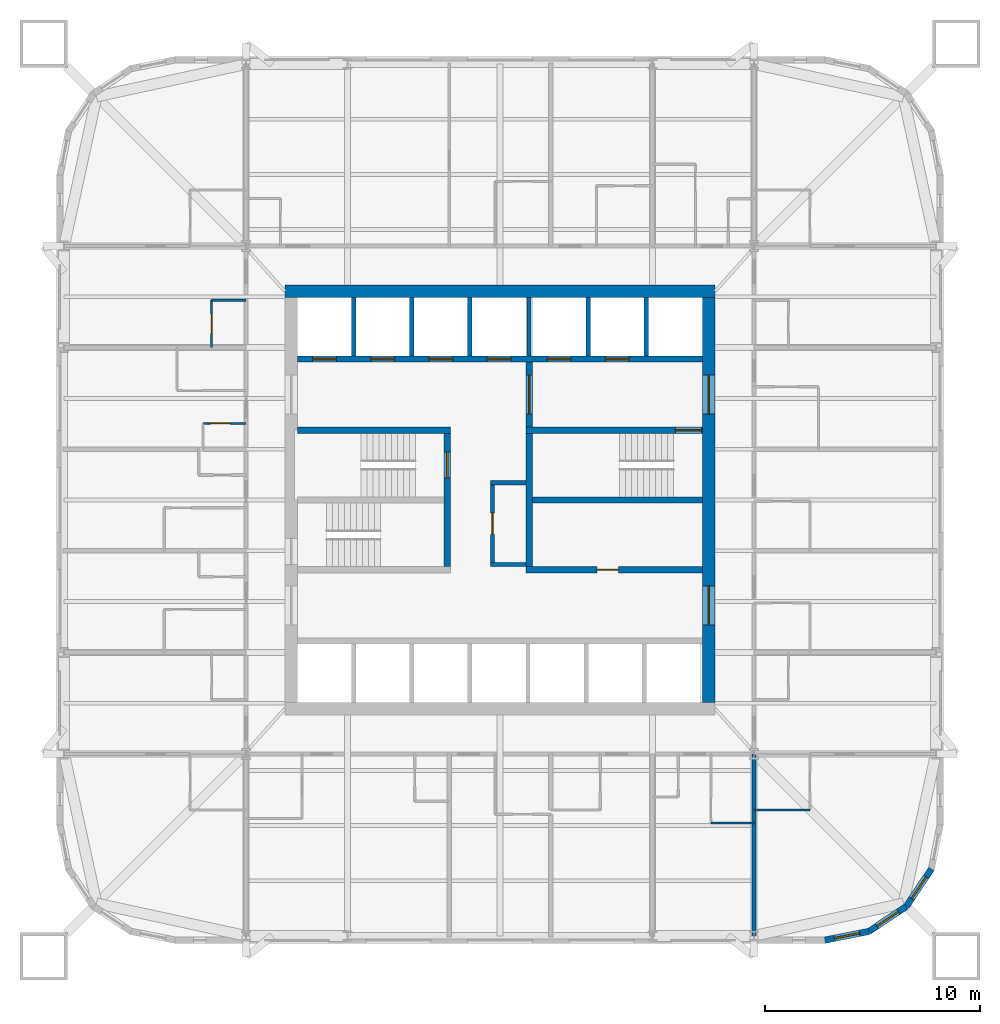
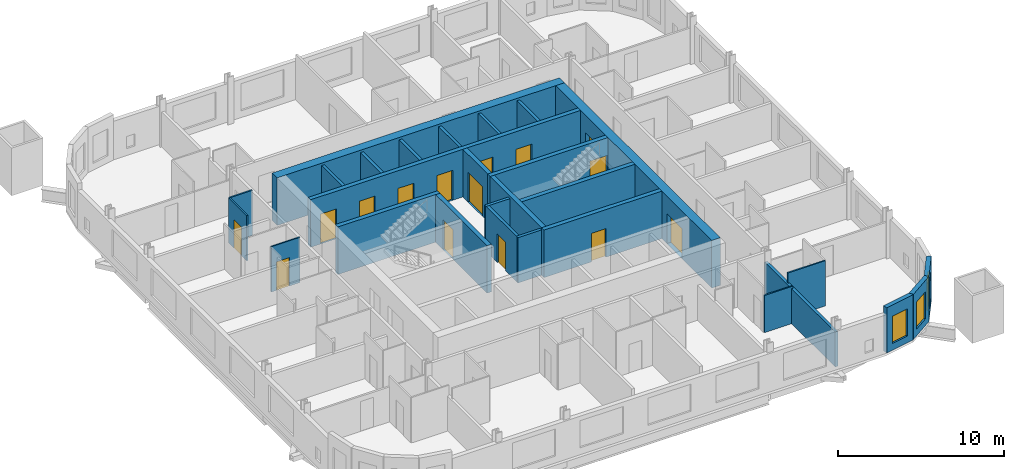
# One storey, part 5 of 9: 27 walls, 15 doors, 3 windows, 18 openings.
"""IFC4 building model written with IfcOpenShell, lengths in metres."""

import ifcopenshell
import ifcopenshell.guid

model = None  # the IFC model being written
_history = None  # IfcOwnerHistory: only IFC2X3 demands one
_inside = {}  # id of a spatial element -> (the spatial element, [elements in it])
_under = {}  # id of a project, library or spatial element -> (it, [spatial elements below it])
_declared = {}  # id of a project -> (the project, [libraries it declares])
_typed = {}  # id of a type object -> (the type object, [elements of that type])
_made_of = {}  # id of a material, layer set ... -> (it, [elements and type objects made of it])


def new_model(schema):
    """Start an empty IFC model of exactly this schema.

    Asked for "IFC4X3", IfcOpenShell would pick the latest addendum, in which some entities
    have other attributes; the version numbers below select the first issue.
    IFC2X3 requires an IfcOwnerHistory on every rooted entity: one is made here for all.
    """
    global model, _history
    if schema == "IFC4X3":
        model = ifcopenshell.file(schema_version=(4, 3, 0, 0))
    else:
        model = ifcopenshell.file(schema=schema)
    _inside.clear()
    _under.clear()
    _declared.clear()
    _typed.clear()
    _made_of.clear()
    _history = None
    if model.schema == "IFC2X3":
        org = make("IfcOrganization", Name="unknown")
        user = make(
            "IfcPersonAndOrganization",
            ThePerson=make("IfcPerson", FamilyName="unknown"),
            TheOrganization=org,
        )
        app = make(
            "IfcApplication",
            ApplicationDeveloper=org,
            Version="unknown",
            ApplicationFullName="unknown",
            ApplicationIdentifier="unknown",
        )
        _history = make(
            "IfcOwnerHistory",
            OwningUser=user,
            OwningApplication=app,
            ChangeAction="ADDED",
            CreationDate=0,
        )
    return model


def make(cls, **values):
    """One entity of the class cls with the attributes given. An attribute that is None is left unset."""
    return model.create_entity(
        cls, **{name: value for name, value in values.items() if value is not None}
    )


def rooted(cls, **values):
    """An entity with a GlobalId (a new one), such as an element, a storey or a relation."""
    return make(cls, GlobalId=ifcopenshell.guid.new(), OwnerHistory=_history, **values)


def si_unit(unit_type, name, prefix=None):
    """IfcSIUnit, for example si_unit("LENGTHUNIT", "METRE", prefix="MILLI")."""
    return make("IfcSIUnit", UnitType=unit_type, Prefix=prefix, Name=name)


def assignment(units):
    """IfcUnitAssignment: the units of a project."""
    return None if units is None else make("IfcUnitAssignment", Units=units)


def point(xyz):
    """IfcCartesianPoint."""
    return None if xyz is None else make("IfcCartesianPoint", Coordinates=xyz)


def direction(xyz):
    """IfcDirection."""
    return None if xyz is None else make("IfcDirection", DirectionRatios=xyz)


def frame(location, z_axis=None, x_axis=None):
    """IfcAxis2Placement3D, a coordinate frame: its origin and axes. An axis left out is left unset."""
    return make(
        "IfcAxis2Placement3D",
        Location=point(location),
        Axis=direction(z_axis),
        RefDirection=direction(x_axis),
    )


def frame_2d(location, x_axis=None):
    """IfcAxis2Placement2D, a coordinate frame in the plane: its origin and x axis."""
    return make(
        "IfcAxis2Placement2D", Location=point(location), RefDirection=direction(x_axis)
    )


def origin():
    """The frame at (0, 0, 0) with its axes left unset."""
    return frame((0.0, 0.0, 0.0))


def place(relative_to, where):
    """IfcLocalPlacement: puts the frame where relative to a parent placement (None: the world)."""
    return make(
        "IfcLocalPlacement", PlacementRelTo=relative_to, RelativePlacement=where
    )


def context(
    kind, dimensions, precision=None, world=None, true_north=None, identifier=None
):
    """IfcGeometricRepresentationContext, for example the 3D "Model" context."""
    return make(
        "IfcGeometricRepresentationContext",
        ContextIdentifier=identifier,
        ContextType=kind,
        CoordinateSpaceDimension=dimensions,
        Precision=precision,
        WorldCoordinateSystem=world,
        TrueNorth=true_north,
    )


def subcontext(parent, identifier, kind, view, scale=None):
    """IfcGeometricRepresentationSubContext, for example "Body" below "Model"."""
    return make(
        "IfcGeometricRepresentationSubContext",
        ContextIdentifier=identifier,
        ContextType=kind,
        ParentContext=parent,
        TargetScale=scale,
        TargetView=view,
    )


def project(units=None, contexts=None):
    """IfcProject with its units and contexts."""
    return rooted(
        "IfcProject",
        Name="project",
        RepresentationContexts=contexts,
        UnitsInContext=assignment(units),
    )


def spatial(cls, under=None, at=None, **own):
    """A site, building, storey or space (cls), placed at a placement, below another one or the project."""
    s = rooted(cls, ObjectPlacement=at, **own)
    if under is not None:
        _under.setdefault(under.id(), (under, []))[1].append(s)
    return s


def profile(cls, at=None, kind="AREA", **sizes):
    """A parametric profile (cls). Its sizes go by their IFC names, for example OverallWidth=200.0."""
    return make(cls, ProfileType=kind, Position=at, **sizes)


def rectangle(**sizes):
    """IfcRectangleProfileDef."""
    return profile("IfcRectangleProfileDef", **sizes)


def extrude(swept, where, along, depth):
    """IfcExtrudedAreaSolid: the profile swept, set in the frame where, extruded along a direction by depth."""
    return make(
        "IfcExtrudedAreaSolid",
        SweptArea=swept,
        Position=where,
        ExtrudedDirection=direction(along),
        Depth=depth,
    )


def shape(context_of_items, identifier, shape_type, items):
    """IfcShapeRepresentation: the items that make up one representation, for example the "Body"."""
    return make(
        "IfcShapeRepresentation",
        ContextOfItems=context_of_items,
        RepresentationIdentifier=identifier,
        RepresentationType=shape_type,
        Items=items,
    )


def material(Name=None, Category=None):
    """IfcMaterial."""
    return make("IfcMaterial", Name=Name, Category=Category)


def layer(
    of_material, thickness, ventilated=None, Name=None, Category=None, Priority=None
):
    """IfcMaterialLayer: one layer of a wall or slab, of a material (None: an air gap)."""
    return make(
        "IfcMaterialLayer",
        Material=of_material,
        LayerThickness=thickness,
        IsVentilated=ventilated,
        Name=Name,
        Category=Category,
        Priority=Priority,
    )


def layer_set(layers, Name=None):
    """IfcMaterialLayerSet."""
    return make("IfcMaterialLayerSet", MaterialLayers=layers, LayerSetName=Name)


def made_of(thing, what):
    """Note that an element or type object is made of a material, layer set ...; save() writes the relation."""
    if what is not None:
        _made_of.setdefault(what.id(), (what, []))[1].append(thing)
    return thing


def type_object(cls, material=None, **own):
    """A type object (cls), such as IfcWallType, which elements share."""
    return made_of(rooted(cls, **own), material)


def element(
    cls,
    number,
    at=None,
    inside=None,
    cuts=None,
    type_object=None,
    material=None,
    context=None,
    identifier="Body",
    shape_type=None,
    held_by="IfcProductDefinitionShape",
    body=None,
    shapes=None,
    **own,
):
    """One element of the class cls, such as IfcWall. Its Tag is "e" and its number.

    at: its placement. inside: the storey or other place that contains it. cuts: it is an
    opening in that element (IfcRelVoidsElement). A single representation is given by context,
    identifier, shape_type and body (its items); several are given by shapes. held_by: the class
    of the entity that holds the representations. save() writes the other relations.
    """
    e = rooted(cls, Tag="e%d" % number, ObjectPlacement=at, **own)
    if body is not None:
        shapes = [shape(context, identifier, shape_type, body)]
    if shapes is not None:
        e.Representation = make(held_by, Representations=shapes)
    if inside is not None:
        _inside.setdefault(inside.id(), (inside, []))[1].append(e)
    if cuts is not None:
        rooted(
            "IfcRelVoidsElement", RelatingBuildingElement=cuts, RelatedOpeningElement=e
        )
    if type_object is not None:
        _typed.setdefault(type_object.id(), (type_object, []))[1].append(e)
    return made_of(e, material)


def fill(opening, filler):
    """IfcRelFillsElement: the door or window that sits in an opening."""
    return rooted(
        "IfcRelFillsElement",
        RelatingOpeningElement=opening,
        RelatedBuildingElement=filler,
    )


def aggregate(whole, parts):
    """IfcRelAggregates: a whole, such as a stair, and the parts it consists of."""
    return rooted("IfcRelAggregates", RelatingObject=whole, RelatedObjects=parts)


def save(model, path):
    """Write the relations noted so far, then the file.

    IfcRelAggregates (storeys below a building ...), IfcRelContainedInSpatialStructure (elements
    in a storey), IfcRelDefinesByType, IfcRelAssociatesMaterial and IfcRelDeclares: one each for
    every whole, place, type object, material and project.
    """
    for whole, parts in _under.values():
        aggregate(whole, parts)
    for where, things in _inside.values():
        rooted(
            "IfcRelContainedInSpatialStructure",
            RelatedElements=things,
            RelatingStructure=where,
        )
    for kind, things in _typed.values():
        rooted("IfcRelDefinesByType", RelatedObjects=things, RelatingType=kind)
    for what, things in _made_of.values():
        rooted("IfcRelAssociatesMaterial", RelatedObjects=things, RelatingMaterial=what)
    for by, libraries in _declared.values():
        rooted("IfcRelDeclares", RelatingContext=by, RelatedDefinitions=libraries)
    model.write(path)


model = new_model("IFC4")

# Units and contexts
model_context = context("Model", 3, precision=1e-05, world=origin(), true_north=direction((0.0, 1.0)))
body_context = subcontext(model_context, "Body", "Model", "MODEL_VIEW")
ifc_project = project(units=[si_unit("LENGTHUNIT", "METRE"), si_unit("AREAUNIT", "SQUARE_METRE"), si_unit("VOLUMEUNIT", "CUBIC_METRE"), si_unit("PLANEANGLEUNIT", "RADIAN"), si_unit("MASSUNIT", "GRAM", prefix="KILO")], contexts=[model_context])

# Site, building, storey
site_placement = place(None, origin())
site = spatial("IfcSite", under=ifc_project, at=site_placement, CompositionType="ELEMENT")
building_placement = place(site_placement, origin())
building = spatial("IfcBuilding", under=site, at=building_placement, Name="Turquesa Mirador Hotel Tower", CompositionType="ELEMENT")
storey_placement = place(building_placement, frame((0.0, 0.0, 142.39990234375)))
storey = spatial("IfcBuildingStorey", under=building, at=storey_placement, Name="L38", CompositionType="ELEMENT", Elevation=142.39990234375)

# Walls
ifc_material_1 = material(Name="Gypsum board on steel studs", Category="steel")
ifc_layer_1 = layer(ifc_material_1, 0.10009765625)
ifc_layer_set_1 = layer_set([ifc_layer_1], Name="BATHROOM WALL 100")
wall_type_1 = type_object("IfcWallType", Name="BATHROOM WALL 100", PredefinedType="PARTITIONING", material=ifc_layer_set_1)
wall_1_placement = place(storey_placement, frame((66.800048828125, 30.60009765625, 0.0), z_axis=(0.0, 0.0, 1.0), x_axis=(1.0, 0.0, 0.0)))
element("IfcWall", 1, at=wall_1_placement, inside=storey, type_object=wall_type_1, Name="Partition L38 012", PredefinedType="PARTITIONING", context=body_context, shape_type="SweptSolid", body=[
    extrude(rectangle(XDim=2.599853515625, YDim=0.10009765625, at=frame_2d((1.2998046875, 0.0))), origin(), (0.0, 0.0, 1.0), 3.330078125),
])
wall_2_placement = place(storey_placement, frame((64.800048828125, 30.0, 0.0), z_axis=(0.0, 0.0, 1.0), x_axis=(1.0, 0.0, 0.0)))
element("IfcWall", 2, at=wall_2_placement, inside=storey, type_object=wall_type_1, Name="Partition L38 015", PredefinedType="PARTITIONING", context=body_context, shape_type="SweptSolid", body=[
    extrude(rectangle(XDim=2.0, YDim=0.10009765625, at=frame_2d((1.0, 0.0))), origin(), (0.0, 0.0, 1.0), 2.730712890625),
])

# Wall, opening, door
wall_3_placement = place(storey_placement, frame((41.199951171875, 48.56005859375, 0.0), z_axis=(0.0, 0.0, 1.0), x_axis=(1.0, 0.0, 0.0)))
wall_3 = element("IfcWall", 3, at=wall_3_placement, inside=storey, type_object=wall_type_1, Name="Partition L38 041", PredefinedType="PARTITIONING", context=body_context, shape_type="SweptSolid", body=[
    extrude(rectangle(XDim=2.0, YDim=0.10009765625, at=frame_2d((1.0, 0.0))), origin(), (0.0, 0.0, 1.0), 3.330078125),
])
opening_1_placement = place(wall_3_placement, frame((0.35009765625, 0.0, 0.0)))
opening_1 = element("IfcOpeningElement", 4, at=opening_1_placement, cuts=wall_3, Name="Opening D06", PredefinedType="OPENING", context=body_context, shape_type="SweptSolid", body=[
    extrude(rectangle(XDim=0.89990234375, YDim=2.10009765625, at=frame_2d((0.449951171875, 1.050048828125))), frame((0.0, 0.06005859375, 0.0), z_axis=(0.0, -1.0, 0.0), x_axis=(1.0, 0.0, 0.0)), (0.0, 0.0, 1.0), 0.1201171875),
])
ifc_material_2 = material(Name="Laminate door", Category="wood")
door_type_1 = type_object("IfcDoorType", Name="DOOR 900X2100 WC", OperationType="SINGLE_SWING_LEFT", PredefinedType="DOOR", material=ifc_material_2)
door_1_placement = place(opening_1_placement, origin())
door_1 = element("IfcDoor", 5, at=door_1_placement, inside=storey, type_object=door_type_1, Name="Door 3813W", OperationType="SINGLE_SWING_LEFT", OverallHeight=2.10009765625, OverallWidth=0.89990234375, PredefinedType="DOOR", context=body_context, shape_type="SweptSolid", body=[
    extrude(rectangle(XDim=0.89990234375, YDim=2.10009765625, at=frame_2d((0.449951171875, 1.050048828125))), frame((0.0, 0.02490234375, 0.0), z_axis=(0.0, -1.0, 0.0), x_axis=(1.0, 0.0, 0.0)), (0.0, 0.0, 1.0), 0.050048828125),
])
fill(opening_1, door_1)

# Wall
wall_4_placement = place(storey_placement, frame((41.60009765625, 54.280029296875, 0.0), z_axis=(0.0, 0.0, 1.0), x_axis=(1.0, 0.0, 0.0)))
element("IfcWall", 6, at=wall_4_placement, inside=storey, type_object=wall_type_1, Name="Partition L38 046", PredefinedType="PARTITIONING", context=body_context, shape_type="SweptSolid", body=[
    extrude(rectangle(XDim=1.599853515625, YDim=0.10009765625, at=frame_2d((0.7998046875, 0.0))), origin(), (0.0, 0.0, 1.0), 3.330078125),
])

# Wall, opening, door
wall_5_placement = place(storey_placement, frame((41.60009765625, 52.080078125, 0.0), z_axis=(0.0, 0.0, 1.0), x_axis=(0.0, 1.0, 0.0)))
wall_5 = element("IfcWall", 7, at=wall_5_placement, inside=storey, type_object=wall_type_1, Name="Partition L38 055", PredefinedType="PARTITIONING", context=body_context, shape_type="SweptSolid", body=[
    extrude(rectangle(XDim=2.199951171875, YDim=0.10009765625, at=frame_2d((1.10009765625, 0.0))), origin(), (0.0, 0.0, 1.0), 3.330078125),
])
opening_2_placement = place(wall_5_placement, frame((0.64990234375, 0.0, 0.0)))
opening_2 = element("IfcOpeningElement", 8, at=opening_2_placement, cuts=wall_5, Name="Opening D06", PredefinedType="OPENING", context=body_context, shape_type="SweptSolid", body=[
    extrude(rectangle(XDim=0.89990234375, YDim=2.10009765625, at=frame_2d((0.449951171875, 1.050048828125))), frame((0.0, 0.06005859375, 0.0), z_axis=(0.0, -1.0, 0.0), x_axis=(1.0, 0.0, 0.0)), (0.0, 0.0, 1.0), 0.1201171875),
])
door_2_placement = place(opening_2_placement, origin())
door_2 = element("IfcDoor", 9, at=door_2_placement, inside=storey, type_object=door_type_1, Name="Door 3815W", OperationType="SINGLE_SWING_LEFT", OverallHeight=2.10009765625, OverallWidth=0.89990234375, PredefinedType="DOOR", context=body_context, shape_type="SweptSolid", body=[
    extrude(rectangle(XDim=0.89990234375, YDim=2.10009765625, at=frame_2d((0.449951171875, 1.050048828125))), frame((0.0, 0.02490234375, 0.0), z_axis=(0.0, -1.0, 0.0), x_axis=(1.0, 0.0, 0.0)), (0.0, 0.0, 1.0), 0.050048828125),
])
fill(opening_2, door_2)

# Wall, openings, doors
ifc_material_3 = material(Name="Concrete C50/60", Category="concrete")
ifc_layer_2 = layer(ifc_material_3, 0.300048828125)
ifc_layer_set_2 = layer_set([ifc_layer_2], Name="CORE INNER WALL 300")
wall_type_2 = type_object("IfcWallType", Name="CORE INNER WALL 300", PredefinedType="SHEAR", material=ifc_layer_set_2)
wall_6_placement = place(storey_placement, frame((45.60009765625, 51.550048828125, 0.0), z_axis=(0.0, 0.0, 1.0), x_axis=(1.0, 0.0, 0.0)))
wall_6 = element("IfcWall", 10, at=wall_6_placement, inside=storey, type_object=wall_type_2, Name="Core wall NL", PredefinedType="SHEAR", context=body_context, shape_type="SweptSolid", body=[
    extrude(rectangle(XDim=18.7998046875, YDim=0.300048828125, at=frame_2d((9.39990234375, 0.0))), origin(), (0.0, 0.0, 1.0), 3.5),
])
opening_3_placement = place(wall_6_placement, frame((0.699951171875, 0.0, 0.0)))
opening_3 = element("IfcOpeningElement", 11, at=opening_3_placement, cuts=wall_6, Name="Opening LD", PredefinedType="OPENING", context=body_context, shape_type="SweptSolid", body=[
    extrude(rectangle(XDim=1.10009765625, YDim=2.199951171875, at=frame_2d((0.550048828125, 1.10009765625))), frame((0.0, 0.159912109375, 0.0), z_axis=(0.0, -1.0, 0.0), x_axis=(1.0, 0.0, 0.0)), (0.0, 0.0, 1.0), 0.320068359375),
])
opening_4_placement = place(wall_6_placement, frame((3.39990234375, 0.0, 0.0)))
opening_4 = element("IfcOpeningElement", 12, at=opening_4_placement, cuts=wall_6, Name="Opening LD", PredefinedType="OPENING", context=body_context, shape_type="SweptSolid", body=[
    extrude(rectangle(XDim=1.10009765625, YDim=2.199951171875, at=frame_2d((0.550048828125, 1.10009765625))), frame((0.0, 0.159912109375, 0.0), z_axis=(0.0, -1.0, 0.0), x_axis=(1.0, 0.0, 0.0)), (0.0, 0.0, 1.0), 0.320068359375),
])
opening_5_placement = place(wall_6_placement, frame((6.10009765625, 0.0, 0.0)))
opening_5 = element("IfcOpeningElement", 13, at=opening_5_placement, cuts=wall_6, Name="Opening LD", PredefinedType="OPENING", context=body_context, shape_type="SweptSolid", body=[
    extrude(rectangle(XDim=1.10009765625, YDim=2.199951171875, at=frame_2d((0.550048828125, 1.10009765625))), frame((0.0, 0.159912109375, 0.0), z_axis=(0.0, -1.0, 0.0), x_axis=(1.0, 0.0, 0.0)), (0.0, 0.0, 1.0), 0.320068359375),
])
opening_6_placement = place(wall_6_placement, frame((8.800048828125, 0.0, 0.0)))
opening_6 = element("IfcOpeningElement", 14, at=opening_6_placement, cuts=wall_6, Name="Opening LD", PredefinedType="OPENING", context=body_context, shape_type="SweptSolid", body=[
    extrude(rectangle(XDim=1.10009765625, YDim=2.199951171875, at=frame_2d((0.550048828125, 1.10009765625))), frame((0.0, 0.159912109375, 0.0), z_axis=(0.0, -1.0, 0.0), x_axis=(1.0, 0.0, 0.0)), (0.0, 0.0, 1.0), 0.320068359375),
])
opening_7_placement = place(wall_6_placement, frame((11.60009765625, 0.0, 0.0)))
opening_7 = element("IfcOpeningElement", 15, at=opening_7_placement, cuts=wall_6, Name="Opening LD", PredefinedType="OPENING", context=body_context, shape_type="SweptSolid", body=[
    extrude(rectangle(XDim=1.10009765625, YDim=2.199951171875, at=frame_2d((0.550048828125, 1.10009765625))), frame((0.0, 0.159912109375, 0.0), z_axis=(0.0, -1.0, 0.0), x_axis=(1.0, 0.0, 0.0)), (0.0, 0.0, 1.0), 0.320068359375),
])
opening_8_placement = place(wall_6_placement, frame((14.300048828125, 0.0, 0.0)))
opening_8 = element("IfcOpeningElement", 16, at=opening_8_placement, cuts=wall_6, Name="Opening LD", PredefinedType="OPENING", context=body_context, shape_type="SweptSolid", body=[
    extrude(rectangle(XDim=1.10009765625, YDim=2.199951171875, at=frame_2d((0.550048828125, 1.10009765625))), frame((0.0, 0.159912109375, 0.0), z_axis=(0.0, -1.0, 0.0), x_axis=(1.0, 0.0, 0.0)), (0.0, 0.0, 1.0), 0.320068359375),
])
ifc_material_4 = material(Name="Stainless steel lift landing door", Category="steel")
door_type_2 = type_object("IfcDoorType", Name="LIFT LANDING DOOR 1100X2200", OperationType="SLIDING_TO_LEFT", PredefinedType="DOOR", material=ifc_material_4)
door_3_placement = place(opening_3_placement, origin())
door_3 = element("IfcDoor", 17, at=door_3_placement, inside=storey, type_object=door_type_2, Name="Lift A1 landing door", OperationType="SLIDING_TO_LEFT", OverallHeight=2.199951171875, OverallWidth=1.10009765625, PredefinedType="DOOR", context=body_context, shape_type="SweptSolid", body=[
    extrude(rectangle(XDim=1.10009765625, YDim=2.199951171875, at=frame_2d((0.550048828125, 1.10009765625))), frame((0.0, 0.02490234375, 0.0), z_axis=(0.0, -1.0, 0.0), x_axis=(1.0, 0.0, 0.0)), (0.0, 0.0, 1.0), 0.050048828125),
])
fill(opening_3, door_3)
door_4_placement = place(opening_4_placement, origin())
door_4 = element("IfcDoor", 18, at=door_4_placement, inside=storey, type_object=door_type_2, Name="Lift A2 landing door", OperationType="SLIDING_TO_LEFT", OverallHeight=2.199951171875, OverallWidth=1.10009765625, PredefinedType="DOOR", context=body_context, shape_type="SweptSolid", body=[
    extrude(rectangle(XDim=1.10009765625, YDim=2.199951171875, at=frame_2d((0.550048828125, 1.10009765625))), frame((0.0, 0.02490234375, 0.0), z_axis=(0.0, -1.0, 0.0), x_axis=(1.0, 0.0, 0.0)), (0.0, 0.0, 1.0), 0.050048828125),
])
fill(opening_4, door_4)
door_5_placement = place(opening_5_placement, origin())
door_5 = element("IfcDoor", 19, at=door_5_placement, inside=storey, type_object=door_type_2, Name="Lift A3 landing door", OperationType="SLIDING_TO_LEFT", OverallHeight=2.199951171875, OverallWidth=1.10009765625, PredefinedType="DOOR", context=body_context, shape_type="SweptSolid", body=[
    extrude(rectangle(XDim=1.10009765625, YDim=2.199951171875, at=frame_2d((0.550048828125, 1.10009765625))), frame((0.0, 0.02490234375, 0.0), z_axis=(0.0, -1.0, 0.0), x_axis=(1.0, 0.0, 0.0)), (0.0, 0.0, 1.0), 0.050048828125),
])
fill(opening_5, door_5)
door_6_placement = place(opening_6_placement, origin())
door_6 = element("IfcDoor", 20, at=door_6_placement, inside=storey, type_object=door_type_2, Name="Lift A4 landing door", OperationType="SLIDING_TO_LEFT", OverallHeight=2.199951171875, OverallWidth=1.10009765625, PredefinedType="DOOR", context=body_context, shape_type="SweptSolid", body=[
    extrude(rectangle(XDim=1.10009765625, YDim=2.199951171875, at=frame_2d((0.550048828125, 1.10009765625))), frame((0.0, 0.02490234375, 0.0), z_axis=(0.0, -1.0, 0.0), x_axis=(1.0, 0.0, 0.0)), (0.0, 0.0, 1.0), 0.050048828125),
])
fill(opening_6, door_6)
door_7_placement = place(opening_7_placement, origin())
door_7 = element("IfcDoor", 21, at=door_7_placement, inside=storey, type_object=door_type_2, Name="Lift S1 landing door", OperationType="SLIDING_TO_LEFT", OverallHeight=2.199951171875, OverallWidth=1.10009765625, PredefinedType="DOOR", context=body_context, shape_type="SweptSolid", body=[
    extrude(rectangle(XDim=1.10009765625, YDim=2.199951171875, at=frame_2d((0.550048828125, 1.10009765625))), frame((0.0, 0.02490234375, 0.0), z_axis=(0.0, -1.0, 0.0), x_axis=(1.0, 0.0, 0.0)), (0.0, 0.0, 1.0), 0.050048828125),
])
fill(opening_7, door_7)
door_8_placement = place(opening_8_placement, origin())
door_8 = element("IfcDoor", 22, at=door_8_placement, inside=storey, type_object=door_type_2, Name="Lift S2 landing door", OperationType="SLIDING_TO_LEFT", OverallHeight=2.199951171875, OverallWidth=1.10009765625, PredefinedType="DOOR", context=body_context, shape_type="SweptSolid", body=[
    extrude(rectangle(XDim=1.10009765625, YDim=2.199951171875, at=frame_2d((0.550048828125, 1.10009765625))), frame((0.0, 0.02490234375, 0.0), z_axis=(0.0, -1.0, 0.0), x_axis=(1.0, 0.0, 0.0)), (0.0, 0.0, 1.0), 0.050048828125),
])
fill(opening_8, door_8)

# Wall
wall_7_placement = place(storey_placement, frame((45.60009765625, 48.25, 0.0), z_axis=(0.0, 0.0, 1.0), x_axis=(1.0, 0.0, 0.0)))
element("IfcWall", 23, at=wall_7_placement, inside=storey, type_object=wall_type_2, Name="Core wall MN-W", PredefinedType="SHEAR", context=body_context, shape_type="SweptSolid", body=[
    extrude(rectangle(XDim=7.099853515625, YDim=0.300048828125, at=frame_2d((3.5498046875, 0.0))), origin(), (0.0, 0.0, 1.0), 3.5),
])

# Wall, opening, door
wall_8_placement = place(storey_placement, frame((56.199951171875, 48.25, 0.0), z_axis=(0.0, 0.0, 1.0), x_axis=(1.0, 0.0, 0.0)))
wall_8 = element("IfcWall", 24, at=wall_8_placement, inside=storey, type_object=wall_type_2, Name="Core wall MN-E", PredefinedType="SHEAR", context=body_context, shape_type="SweptSolid", body=[
    extrude(rectangle(XDim=8.199951171875, YDim=0.300048828125, at=frame_2d((4.10009765625, 0.0))), origin(), (0.0, 0.0, 1.0), 3.5),
])
opening_9_placement = place(wall_8_placement, frame((6.949951171875, 0.0, 0.0)))
opening_9 = element("IfcOpeningElement", 25, at=opening_9_placement, cuts=wall_8, Name="Opening D03", PredefinedType="OPENING", context=body_context, shape_type="SweptSolid", body=[
    extrude(rectangle(XDim=1.199951171875, YDim=2.199951171875, at=frame_2d((0.60009765625, 1.10009765625))), frame((0.0, 0.159912109375, 0.0), z_axis=(0.0, -1.0, 0.0), x_axis=(1.0, 0.0, 0.0)), (0.0, 0.0, 1.0), 0.320068359375),
])
ifc_material_5 = material(Name="Steel fire door", Category="steel")
door_type_3 = type_object("IfcDoorType", Name="DOOR 1200X2200 STAIR", OperationType="SINGLE_SWING_LEFT", PredefinedType="DOOR", material=ifc_material_5)
door_9_placement = place(opening_9_placement, origin())
door_9 = element("IfcDoor", 26, at=door_9_placement, inside=storey, type_object=door_type_3, Name="Stair ST3 door", OperationType="SINGLE_SWING_LEFT", OverallHeight=2.199951171875, OverallWidth=1.199951171875, PredefinedType="DOOR", context=body_context, shape_type="SweptSolid", body=[
    extrude(rectangle(XDim=1.199951171875, YDim=2.199951171875, at=frame_2d((0.60009765625, 1.10009765625))), frame((0.0, 0.02490234375, 0.0), z_axis=(0.0, -1.0, 0.0), x_axis=(1.0, 0.0, 0.0)), (0.0, 0.0, 1.0), 0.050048828125),
])
fill(opening_9, door_9)

wall_9_placement = place(storey_placement, frame((56.199951171875, 41.75, 0.0), z_axis=(0.0, 0.0, 1.0), x_axis=(1.0, 0.0, 0.0)))
wall_9 = element("IfcWall", 27, at=wall_9_placement, inside=storey, type_object=wall_type_2, Name="Core wall MS-E", PredefinedType="SHEAR", context=body_context, shape_type="SweptSolid", body=[
    extrude(rectangle(XDim=8.199951171875, YDim=0.300048828125, at=frame_2d((4.10009765625, 0.0))), origin(), (0.0, 0.0, 1.0), 3.5),
])
opening_10_placement = place(wall_9_placement, frame((3.300048828125, 0.0, 0.0)))
opening_10 = element("IfcOpeningElement", 28, at=opening_10_placement, cuts=wall_9, Name="Opening D05", PredefinedType="OPENING", context=body_context, shape_type="SweptSolid", body=[
    extrude(rectangle(XDim=1.0, YDim=2.10009765625, at=frame_2d((0.5, 1.050048828125))), frame((0.0, 0.159912109375, 0.0), z_axis=(0.0, -1.0, 0.0), x_axis=(1.0, 0.0, 0.0)), (0.0, 0.0, 1.0), 0.320068359375),
])
ifc_material_6 = material(Name="Steel fire door", Category="steel")
door_type_4 = type_object("IfcDoorType", Name="DOOR 1000X2100 SERVICE", OperationType="SINGLE_SWING_LEFT", PredefinedType="DOOR", material=ifc_material_6)
door_10_placement = place(opening_10_placement, origin())
door_10 = element("IfcDoor", 29, at=door_10_placement, inside=storey, type_object=door_type_4, Name="Housekeeping room door", OperationType="SINGLE_SWING_LEFT", OverallHeight=2.10009765625, OverallWidth=1.0, PredefinedType="DOOR", context=body_context, shape_type="SweptSolid", body=[
    extrude(rectangle(XDim=1.0, YDim=2.10009765625, at=frame_2d((0.5, 1.050048828125))), frame((0.0, 0.02490234375, 0.0), z_axis=(0.0, -1.0, 0.0), x_axis=(1.0, 0.0, 0.0)), (0.0, 0.0, 1.0), 0.050048828125),
])
fill(opening_10, door_10)

wall_10_placement = place(storey_placement, frame((52.550048828125, 41.89990234375, 0.0), z_axis=(0.0, 0.0, 1.0), x_axis=(0.0, 1.0, 0.0)))
wall_10 = element("IfcWall", 30, at=wall_10_placement, inside=storey, type_object=wall_type_2, Name="Core wall PW", PredefinedType="SHEAR", context=body_context, shape_type="SweptSolid", body=[
    extrude(rectangle(XDim=6.2001953125, YDim=0.300048828125, at=frame_2d((3.10009765625, 0.0))), origin(), (0.0, 0.0, 1.0), 3.5),
])
opening_11_placement = place(wall_10_placement, frame((4.125, 0.0, 0.0)))
opening_11 = element("IfcOpeningElement", 31, at=opening_11_placement, cuts=wall_10, Name="Opening D03", PredefinedType="OPENING", context=body_context, shape_type="SweptSolid", body=[
    extrude(rectangle(XDim=1.199951171875, YDim=2.199951171875, at=frame_2d((0.60009765625, 1.10009765625))), frame((0.0, 0.159912109375, 0.0), z_axis=(0.0, -1.0, 0.0), x_axis=(1.0, 0.0, 0.0)), (0.0, 0.0, 1.0), 0.320068359375),
])
door_11_placement = place(opening_11_placement, origin())
door_11 = element("IfcDoor", 32, at=door_11_placement, inside=storey, type_object=door_type_3, Name="Stair ST1 door", OperationType="SINGLE_SWING_LEFT", OverallHeight=2.199951171875, OverallWidth=1.199951171875, PredefinedType="DOOR", context=body_context, shape_type="SweptSolid", body=[
    extrude(rectangle(XDim=1.199951171875, YDim=2.199951171875, at=frame_2d((0.60009765625, 1.10009765625))), frame((0.0, 0.02490234375, 0.0), z_axis=(0.0, -1.0, 0.0), x_axis=(1.0, 0.0, 0.0)), (0.0, 0.0, 1.0), 0.050048828125),
])
fill(opening_11, door_11)

wall_11_placement = place(storey_placement, frame((56.35009765625, 41.89990234375, 0.0), z_axis=(0.0, 0.0, 1.0), x_axis=(0.0, 1.0, 0.0)))
wall_11 = element("IfcWall", 33, at=wall_11_placement, inside=storey, type_object=wall_type_2, Name="Core wall PE", PredefinedType="SHEAR", context=body_context, shape_type="SweptSolid", body=[
    extrude(rectangle(XDim=9.5, YDim=0.300048828125, at=frame_2d((4.75, 0.0))), origin(), (0.0, 0.0, 1.0), 3.5),
])
opening_12_placement = place(wall_11_placement, frame((7.10009765625, 0.0, 0.0)))
opening_12 = element("IfcOpeningElement", 34, at=opening_12_placement, cuts=wall_11, Name="Opening D04", PredefinedType="OPENING", context=body_context, shape_type="SweptSolid", body=[
    extrude(rectangle(XDim=1.800048828125, YDim=2.199951171875, at=frame_2d((0.89990234375, 1.10009765625))), frame((0.0, 0.159912109375, 0.0), z_axis=(0.0, -1.0, 0.0), x_axis=(1.0, 0.0, 0.0)), (0.0, 0.0, 1.0), 0.320068359375),
])
ifc_material_7 = material(Name="Steel fire door pair", Category="steel")
door_type_5 = type_object("IfcDoorType", Name="DOOR 1800X2200 PAIR", OperationType="DOUBLE_DOOR_SINGLE_SWING", PredefinedType="DOOR", material=ifc_material_7)
door_12_placement = place(opening_12_placement, origin())
door_12 = element("IfcDoor", 35, at=door_12_placement, inside=storey, type_object=door_type_5, Name="Firefighting lobby inner door", OperationType="DOUBLE_DOOR_SINGLE_SWING", OverallHeight=2.199951171875, OverallWidth=1.800048828125, PredefinedType="DOOR", context=body_context, shape_type="SweptSolid", body=[
    extrude(rectangle(XDim=1.800048828125, YDim=2.199951171875, at=frame_2d((0.89990234375, 1.10009765625))), frame((0.0, 0.02490234375, 0.0), z_axis=(0.0, -1.0, 0.0), x_axis=(1.0, 0.0, 0.0)), (0.0, 0.0, 1.0), 0.050048828125),
])
fill(opening_12, door_12)

# Walls
wall_12_placement = place(storey_placement, frame((56.5, 45.0, 0.0), z_axis=(0.0, 0.0, 1.0), x_axis=(1.0, 0.0, 0.0)))
element("IfcWall", 36, at=wall_12_placement, inside=storey, type_object=wall_type_2, Name="Core wall M0-E", PredefinedType="SHEAR", context=body_context, shape_type="SweptSolid", body=[
    extrude(rectangle(XDim=7.89990234375, YDim=0.300048828125, at=frame_2d((3.949951171875, 0.0))), origin(), (0.0, 0.0, 1.0), 3.5),
])
ifc_material_8 = material(Name="Concrete C50/60", Category="concrete")
ifc_layer_3 = layer(ifc_material_8, 0.60009765625)
ifc_layer_set_3 = layer_set([ifc_layer_3], Name="CORE WALL 600")
wall_type_3 = type_object("IfcWallType", Name="CORE WALL 600", PredefinedType="SHEAR", material=ifc_layer_set_3)
wall_13_placement = place(storey_placement, frame((45.0, 54.699951171875, 0.0), z_axis=(0.0, 0.0, 1.0), x_axis=(1.0, 0.0, 0.0)))
element("IfcWall", 37, at=wall_13_placement, inside=storey, type_object=wall_type_3, Name="Core wall N", PredefinedType="SHEAR", context=body_context, shape_type="SweptSolid", body=[
    extrude(rectangle(XDim=20.0, YDim=0.60009765625, at=frame_2d((10.0, 0.0))), origin(), (0.0, 0.0, 1.0), 3.5),
])

# Wall, openings, doors
wall_14_placement = place(storey_placement, frame((64.699951171875, 35.60009765625, 0.0), z_axis=(0.0, 0.0, 1.0), x_axis=(0.0, 1.0, 0.0)))
wall_14 = element("IfcWall", 38, at=wall_14_placement, inside=storey, type_object=wall_type_3, Name="Core wall E", PredefinedType="SHEAR", context=body_context, shape_type="SweptSolid", body=[
    extrude(rectangle(XDim=18.7998046875, YDim=0.60009765625, at=frame_2d((9.39990234375, 0.0))), origin(), (0.0, 0.0, 1.0), 3.5),
])
opening_13_placement = place(wall_14_placement, frame((13.39990234375, 0.0, 0.0)))
opening_13 = element("IfcOpeningElement", 39, at=opening_13_placement, cuts=wall_14, Name="Opening D04", PredefinedType="OPENING", context=body_context, shape_type="SweptSolid", body=[
    extrude(rectangle(XDim=1.800048828125, YDim=2.199951171875, at=frame_2d((0.89990234375, 1.10009765625))), frame((0.0, 0.31005859375, 0.0), z_axis=(0.0, -1.0, 0.0), x_axis=(1.0, 0.0, 0.0)), (0.0, 0.0, 1.0), 0.6201171875),
])
opening_14_placement = place(wall_14_placement, frame((3.60009765625, 0.0, 0.0)))
opening_14 = element("IfcOpeningElement", 40, at=opening_14_placement, cuts=wall_14, Name="Opening D04", PredefinedType="OPENING", context=body_context, shape_type="SweptSolid", body=[
    extrude(rectangle(XDim=1.800048828125, YDim=2.199951171875, at=frame_2d((0.89990234375, 1.10009765625))), frame((0.0, 0.31005859375, 0.0), z_axis=(0.0, -1.0, 0.0), x_axis=(1.0, 0.0, 0.0)), (0.0, 0.0, 1.0), 0.6201171875),
])
door_13_placement = place(opening_13_placement, origin())
door_13 = element("IfcDoor", 41, at=door_13_placement, inside=storey, type_object=door_type_5, Name="Firefighting lobby door", OperationType="DOUBLE_DOOR_SINGLE_SWING", OverallHeight=2.199951171875, OverallWidth=1.800048828125, PredefinedType="DOOR", context=body_context, shape_type="SweptSolid", body=[
    extrude(rectangle(XDim=1.800048828125, YDim=2.199951171875, at=frame_2d((0.89990234375, 1.10009765625))), frame((0.0, 0.02490234375, 0.0), z_axis=(0.0, -1.0, 0.0), x_axis=(1.0, 0.0, 0.0)), (0.0, 0.0, 1.0), 0.050048828125),
])
fill(opening_13, door_13)
door_14_placement = place(opening_14_placement, origin())
door_14 = element("IfcDoor", 42, at=door_14_placement, inside=storey, type_object=door_type_5, Name="South lift lobby door", OperationType="DOUBLE_DOOR_SINGLE_SWING", OverallHeight=2.199951171875, OverallWidth=1.800048828125, PredefinedType="DOOR", context=body_context, shape_type="SweptSolid", body=[
    extrude(rectangle(XDim=1.800048828125, YDim=2.199951171875, at=frame_2d((0.89990234375, 1.10009765625))), frame((0.0, 0.02490234375, 0.0), z_axis=(0.0, -1.0, 0.0), x_axis=(1.0, 0.0, 0.0)), (0.0, 0.0, 1.0), 0.050048828125),
])
fill(opening_14, door_14)

# Wall, opening, window
ifc_material_9 = material(Name="Limestone cladding on concrete block", Category="masonry")
ifc_layer_4 = layer(ifc_material_9, 0.300048828125)
ifc_layer_set_4 = layer_set([ifc_layer_4], Name="FACADE WALL 300 STONE SCREEN")
wall_type_4 = type_object("IfcWallType", Name="FACADE WALL 300 STONE SCREEN", PredefinedType="SOLIDWALL", material=ifc_layer_set_4)
wall_15_placement = place(storey_placement, frame((70.10009765625, 24.550048828125, 0.0), z_axis=(0.0, 0.0, 1.0), x_axis=(0.980787050784, 0.195081421501, 0.0)))
wall_15 = element("IfcWall", 43, at=wall_15_placement, inside=storey, type_object=wall_type_4, Name="Facade wall L38 00", PredefinedType="SOLIDWALL", context=body_context, shape_type="SweptSolid", body=[
    extrude(rectangle(XDim=2.08740234375, YDim=0.300048828125, at=frame_2d((1.043701171875, 0.0))), origin(), (0.0, 0.0, 1.0), 3.330078125),
])
opening_15_placement = place(wall_15_placement, frame((0.443603515625, 0.0, 0.5)))
opening_15 = element("IfcOpeningElement", 44, at=opening_15_placement, cuts=wall_15, Name="Opening WN4", PredefinedType="OPENING", context=body_context, shape_type="SweptSolid", body=[
    extrude(rectangle(XDim=1.199951171875, YDim=2.0, at=frame_2d((0.60009765625, 1.0))), frame((0.0, 0.159912109375, 0.0), z_axis=(0.0, -1.0, 0.0), x_axis=(1.0, 0.0, 0.0)), (0.0, 0.0, 1.0), 0.320068359375),
])
ifc_material_10 = material(Name="Ceramic-fritted laminated glass", Category="glass")
window_type = type_object("IfcWindowType", Name="FRITTED CORNER WINDOW 1200X2000", PartitioningType="DOUBLE_PANEL_HORIZONTAL", PredefinedType="WINDOW", material=ifc_material_10)
window_1_placement = place(opening_15_placement, origin())
window_1 = element("IfcWindow", 45, at=window_1_placement, inside=storey, type_object=window_type, Name="Window L38", OverallHeight=2.0, OverallWidth=1.199951171875, PartitioningType="SINGLE_PANEL", PredefinedType="WINDOW", context=body_context, shape_type="SweptSolid", body=[
    extrude(rectangle(XDim=1.199951171875, YDim=2.0, at=frame_2d((0.60009765625, 1.0))), frame((0.0, 0.030029296875, 0.0), z_axis=(0.0, -1.0, 0.0), x_axis=(1.0, 0.0, 0.0)), (0.0, 0.0, 1.0), 0.06005859375),
])
fill(opening_15, window_1)

wall_16_placement = place(storey_placement, frame((72.1474609375, 24.957275390625, 0.0), z_axis=(0.0, 0.0, 1.0), x_axis=(0.831474039234, 0.555563607591, 0.0)))
wall_16 = element("IfcWall", 46, at=wall_16_placement, inside=storey, type_object=wall_type_4, Name="Facade wall L38 01", PredefinedType="SOLIDWALL", context=body_context, shape_type="SweptSolid", body=[
    extrude(rectangle(XDim=2.08740234375, YDim=0.300048828125, at=frame_2d((1.043701171875, 0.0))), origin(), (0.0, 0.0, 1.0), 3.330078125),
])
opening_16_placement = place(wall_16_placement, frame((0.443603515625, 0.0, 0.5)))
opening_16 = element("IfcOpeningElement", 47, at=opening_16_placement, cuts=wall_16, Name="Opening WN4", PredefinedType="OPENING", context=body_context, shape_type="SweptSolid", body=[
    extrude(rectangle(XDim=1.199951171875, YDim=2.0, at=frame_2d((0.60009765625, 1.0))), frame((0.0, 0.159912109375, 0.0), z_axis=(0.0, -1.0, 0.0), x_axis=(1.0, 0.0, 0.0)), (0.0, 0.0, 1.0), 0.320068359375),
])
window_2_placement = place(opening_16_placement, origin())
window_2 = element("IfcWindow", 48, at=window_2_placement, inside=storey, type_object=window_type, Name="Window L38", OverallHeight=2.0, OverallWidth=1.199951171875, PartitioningType="SINGLE_PANEL", PredefinedType="WINDOW", context=body_context, shape_type="SweptSolid", body=[
    extrude(rectangle(XDim=1.199951171875, YDim=2.0, at=frame_2d((0.60009765625, 1.0))), frame((0.0, 0.030029296875, 0.0), z_axis=(0.0, -1.0, 0.0), x_axis=(1.0, 0.0, 0.0)), (0.0, 0.0, 1.0), 0.06005859375),
])
fill(opening_16, window_2)

wall_17_placement = place(storey_placement, frame((73.883056640625, 26.116943359375, 0.0), z_axis=(0.0, 0.0, 1.0), x_axis=(0.555563607591, 0.831474039234, 0.0)))
wall_17 = element("IfcWall", 49, at=wall_17_placement, inside=storey, type_object=wall_type_4, Name="Facade wall L38 02", PredefinedType="SOLIDWALL", context=body_context, shape_type="SweptSolid", body=[
    extrude(rectangle(XDim=2.08740234375, YDim=0.300048828125, at=frame_2d((1.043701171875, 0.0))), origin(), (0.0, 0.0, 1.0), 3.330078125),
])
opening_17_placement = place(wall_17_placement, frame((0.443603515625, 0.0, 0.5)))
opening_17 = element("IfcOpeningElement", 50, at=opening_17_placement, cuts=wall_17, Name="Opening WN4", PredefinedType="OPENING", context=body_context, shape_type="SweptSolid", body=[
    extrude(rectangle(XDim=1.199951171875, YDim=2.0, at=frame_2d((0.60009765625, 1.0))), frame((0.0, 0.159912109375, 0.0), z_axis=(0.0, -1.0, 0.0), x_axis=(1.0, 0.0, 0.0)), (0.0, 0.0, 1.0), 0.320068359375),
])
window_3_placement = place(opening_17_placement, origin())
window_3 = element("IfcWindow", 51, at=window_3_placement, inside=storey, type_object=window_type, Name="Window L38", OverallHeight=2.0, OverallWidth=1.199951171875, PartitioningType="SINGLE_PANEL", PredefinedType="WINDOW", context=body_context, shape_type="SweptSolid", body=[
    extrude(rectangle(XDim=1.199951171875, YDim=2.0, at=frame_2d((0.60009765625, 1.0))), frame((0.0, 0.030029296875, 0.0), z_axis=(0.0, -1.0, 0.0), x_axis=(1.0, 0.0, 0.0)), (0.0, 0.0, 1.0), 0.06005859375),
])
fill(opening_17, window_3)

# Wall, opening, door
ifc_material_11 = material(Name="Fire-rated gypsum board on steel studs", Category="steel")
ifc_layer_5 = layer(ifc_material_11, 0.199951171875)
ifc_layer_set_5 = layer_set([ifc_layer_5], Name="FIRE PARTITION 200")
wall_type_5 = type_object("IfcWallType", Name="FIRE PARTITION 200", PredefinedType="PARTITIONING", material=ifc_layer_set_5)
wall_18_placement = place(storey_placement, frame((54.64990234375, 42.0, 0.0), z_axis=(0.0, 0.0, 1.0), x_axis=(0.0, 1.0, 0.0)))
wall_18 = element("IfcWall", 52, at=wall_18_placement, inside=storey, type_object=wall_type_5, Name="Partition L38 RR W", PredefinedType="PARTITIONING", context=body_context, shape_type="SweptSolid", body=[
    extrude(rectangle(XDim=3.800048828125, YDim=0.199951171875, at=frame_2d((1.89990234375, 0.0))), origin(), (0.0, 0.0, 1.0), 3.330078125),
])
opening_18_placement = place(wall_18_placement, frame((1.39990234375, 0.0, 0.0)))
opening_18 = element("IfcOpeningElement", 53, at=opening_18_placement, cuts=wall_18, Name="Opening D05", PredefinedType="OPENING", context=body_context, shape_type="SweptSolid", body=[
    extrude(rectangle(XDim=1.0, YDim=2.10009765625, at=frame_2d((0.5, 1.050048828125))), frame((0.0, 0.10986328125, 0.0), z_axis=(0.0, -1.0, 0.0), x_axis=(1.0, 0.0, 0.0)), (0.0, 0.0, 1.0), 0.219970703125),
])
door_15_placement = place(opening_18_placement, origin())
door_15 = element("IfcDoor", 54, at=door_15_placement, inside=storey, type_object=door_type_4, Name="Staff rest room door", OperationType="SINGLE_SWING_LEFT", OverallHeight=2.10009765625, OverallWidth=1.0, PredefinedType="DOOR", context=body_context, shape_type="SweptSolid", body=[
    extrude(rectangle(XDim=1.0, YDim=2.10009765625, at=frame_2d((0.5, 1.050048828125))), frame((0.0, 0.02490234375, 0.0), z_axis=(0.0, -1.0, 0.0), x_axis=(1.0, 0.0, 0.0)), (0.0, 0.0, 1.0), 0.050048828125),
])
fill(opening_18, door_15)

# Walls
for number, where, z_axis, x_axis, name in (
    (55, (54.550048828125, 42.0, 0.0), (0.0, 0.0, 1.0), (1.0, 0.0, 0.0), "Partition L38 RR S"),
    (56, (54.550048828125, 45.800048828125, 0.0), (0.0, 0.0, 1.0), (1.0, 0.0, 0.0), "Partition L38 RR N"),
):
    element("IfcWall", number, at=place(storey_placement, frame(where, z_axis=z_axis, x_axis=x_axis)), inside=storey, type_object=wall_type_5, Name=name, PredefinedType="PARTITIONING", context=body_context, shape_type="SweptSolid", body=[
        extrude(rectangle(XDim=1.64990234375, YDim=0.199951171875, at=frame_2d((0.824951171875, 0.0))), origin(), (0.0, 0.0, 1.0), 3.330078125),
    ])
ifc_material_12 = material(Name="Fire-rated gypsum shaft wall on steel studs", Category="steel")
ifc_layer_6 = layer(ifc_material_12, 0.199951171875)
ifc_layer_set_6 = layer_set([ifc_layer_6], Name="LIFT SHAFT DIVIDER 200")
wall_type_6 = type_object("IfcWallType", Name="LIFT SHAFT DIVIDER 200", PredefinedType="PARTITIONING", material=ifc_layer_set_6)
for number, where, z_axis, x_axis, name in (
    (57, (48.199951171875, 51.699951171875, 0.0), (0.0, 0.0, 1.0), (0.0, 1.0, 0.0), "Lift shaft divider"),
    (58, (50.89990234375, 51.699951171875, 0.0), (0.0, 0.0, 1.0), (0.0, 1.0, 0.0), "Lift shaft divider"),
    (59, (53.60009765625, 51.699951171875, 0.0), (0.0, 0.0, 1.0), (0.0, 1.0, 0.0), "Lift shaft divider"),
    (60, (59.10009765625, 51.699951171875, 0.0), (0.0, 0.0, 1.0), (0.0, 1.0, 0.0), "Lift shaft divider"),
    (61, (61.800048828125, 51.699951171875, 0.0), (0.0, 0.0, 1.0), (0.0, 1.0, 0.0), "Lift shaft divider"),
    (62, (56.35009765625, 51.699951171875, 0.0), (0.0, 0.0, 1.0), (0.0, 1.0, 0.0), "Lift shaft divider"),
):
    element("IfcWall", number, at=place(storey_placement, frame(where, z_axis=z_axis, x_axis=x_axis)), inside=storey, type_object=wall_type_6, Name=name, PredefinedType="PARTITIONING", context=body_context, shape_type="SweptSolid", body=[
        extrude(rectangle(XDim=2.699951171875, YDim=0.199951171875, at=frame_2d((1.35009765625, 0.0))), origin(), (0.0, 0.0, 1.0), 3.330078125),
    ])
ifc_material_13 = material(Name="Fire-rated gypsum board on steel studs", Category="steel")
ifc_layer_7 = layer(ifc_material_13, 0.199951171875)
ifc_layer_set_7 = layer_set([ifc_layer_7], Name="PARTY WALL 200")
wall_type_7 = type_object("IfcWallType", Name="PARTY WALL 200", PredefinedType="PARTITIONING", material=ifc_layer_set_7)
wall_19_placement = place(storey_placement, frame((66.800048828125, 24.699951171875, 0.0), z_axis=(0.0, 0.0, 1.0), x_axis=(0.0, 1.0, 0.0)))
element("IfcWall", 63, at=wall_19_placement, inside=storey, type_object=wall_type_7, Name="Partition L38 070", PredefinedType="PARTITIONING", context=body_context, shape_type="SweptSolid", body=[
    extrude(rectangle(XDim=8.5, YDim=0.199951171875, at=frame_2d((4.25, 0.0))), origin(), (0.0, 0.0, 1.0), 2.5732421875),
])

save(model, "model.ifc")
